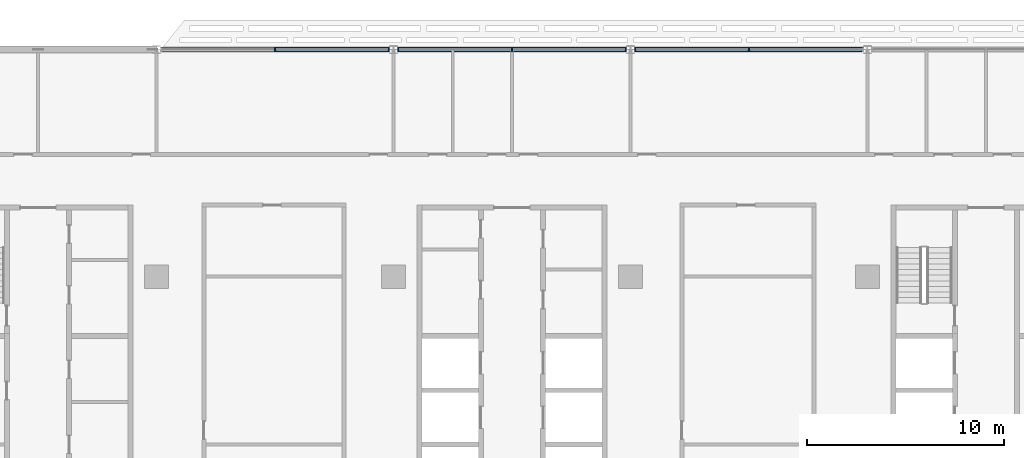
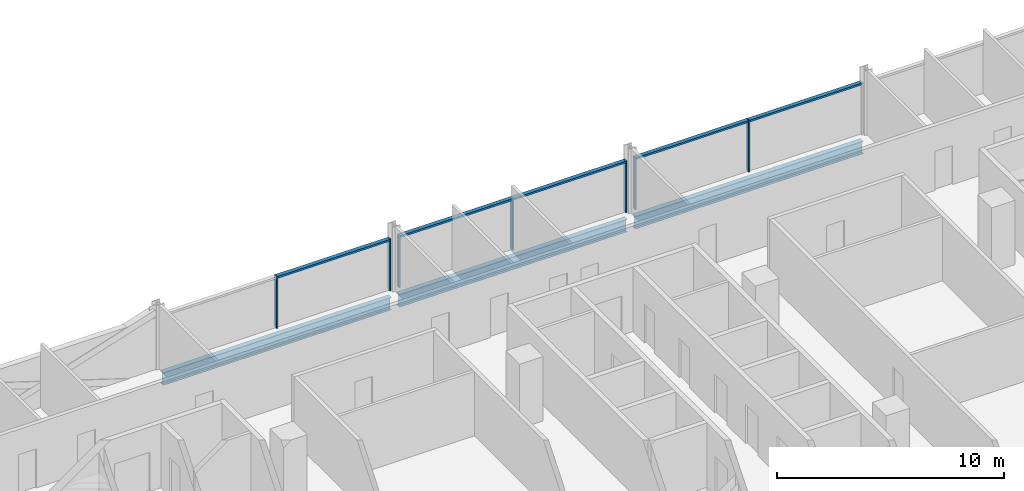
# One storey, part 7 of 27: 12 members, 3 beams, 3 elements without a shape of their own.
"""IFC4 building model written with IfcOpenShell, lengths in metres."""

from ifc_helpers import new_model, si_unit, direction, frame, origin, origin_2d, place, context, subcontext, project, spatial, rectangle, i_section, extrude, material, material_profile, profile_set, type_object, element, aggregate, save


model = new_model("IFC4")

# Units and contexts
model_context = context("Model", 3, precision=1e-05, world=origin(), true_north=direction((0.0, 1.0)))
body_context = subcontext(model_context, "Body", "Model", "MODEL_VIEW")
ifc_project = project(units=[si_unit("LENGTHUNIT", "METRE"), si_unit("AREAUNIT", "SQUARE_METRE"), si_unit("VOLUMEUNIT", "CUBIC_METRE"), si_unit("PLANEANGLEUNIT", "RADIAN"), si_unit("MASSUNIT", "GRAM", prefix="KILO")], contexts=[model_context])

# Site, building, storey
site_placement = place(None, origin())
site = spatial("IfcSite", under=ifc_project, at=site_placement, CompositionType="ELEMENT")
building_placement = place(site_placement, origin())
building = spatial("IfcBuilding", under=site, at=building_placement, Name="Mahtab Terrace Research Tower", CompositionType="ELEMENT")
storey_placement = place(building_placement, frame((0.0, 0.0, 166.800048828125)))
storey = spatial("IfcBuildingStorey", under=building, at=storey_placement, Name="L39", CompositionType="ELEMENT", Elevation=166.800048828125)

# Curtain wall, members
ifc_material_1 = material(Name="Laboratory ribbon curtain wall")
curtain_wall_type = type_object("IfcCurtainWallType", Name="Laboratory ribbon curtain wall", PredefinedType="NOTDEFINED", material=ifc_material_1)
curtain_wall_1_placement = place(storey_placement, origin())
curtain_wall_1 = element("IfcCurtainWall", 1, at=curtain_wall_1_placement, inside=storey, type_object=curtain_wall_type, Name="EN.L39.3.5", PredefinedType="NOTDEFINED")
ifc_material_2 = material(Name="Natural anodised aluminium", Category="aluminium")
ifc_material_profile_1 = material_profile(ifc_material_2, rectangle(XDim=0.199951171875, YDim=0.06494140625, at=origin_2d()), Name="MULLION 65x200")
ifc_profile_set_1 = profile_set([ifc_material_profile_1], Name="Natural anodised aluminium")
member_type_1 = type_object("IfcMemberType", Name="Laboratory ribbon curtain wall mullion", PredefinedType="MULLION", material=ifc_profile_set_1)
member_1_placement = place(storey_placement, frame((12.0, 23.0, 0.0), z_axis=(0.0, 0.0, 1.0), x_axis=(0.0, -1.0, 0.0)))
member_1 = element("IfcMember", 2, at=member_1_placement, type_object=member_type_1, Name="CWL-5 mullion 2", PredefinedType="MULLION", context=body_context, shape_type="SweptSolid", body=[
    extrude(rectangle(XDim=0.199951171875, YDim=0.06494140625, at=origin_2d()), origin(), (0.0, 0.0, 1.0), 2.78173828125),
])
member_2_placement = place(storey_placement, frame((6.240478515625, 23.0, 0.0), z_axis=(0.0, 0.0, 1.0), x_axis=(0.0, -1.0, 0.0)))
member_2 = element("IfcMember", 3, at=member_2_placement, type_object=member_type_1, Name="CWL-5 mullion 3", PredefinedType="MULLION", context=body_context, shape_type="SweptSolid", body=[
    extrude(rectangle(XDim=0.199951171875, YDim=0.06494140625, at=origin_2d()), origin(), (0.0, 0.0, 1.0), 2.78173828125),
])

curtain_wall_2_placement = place(storey_placement, origin())
curtain_wall_2 = element("IfcCurtainWall", 4, at=curtain_wall_2_placement, inside=storey, type_object=curtain_wall_type, Name="EN.L39.3.6", PredefinedType="NOTDEFINED")
member_3_placement = place(storey_placement, frame((5.759521484375, 23.0, 0.0), z_axis=(0.0, 0.0, 1.0), x_axis=(0.0, -1.0, 0.0)))
member_3 = element("IfcMember", 5, at=member_3_placement, type_object=member_type_1, Name="CWL-5 mullion 1", PredefinedType="MULLION", context=body_context, shape_type="SweptSolid", body=[
    extrude(rectangle(XDim=0.199951171875, YDim=0.06494140625, at=origin_2d()), origin(), (0.0, 0.0, 1.0), 2.78173828125),
])
member_4_placement = place(storey_placement, frame((0.0, 23.0, 0.0), z_axis=(0.0, 0.0, 1.0), x_axis=(0.0, -1.0, 0.0)))
member_4 = element("IfcMember", 6, at=member_4_placement, type_object=member_type_1, Name="CWL-5 mullion 2", PredefinedType="MULLION", context=body_context, shape_type="SweptSolid", body=[
    extrude(rectangle(XDim=0.199951171875, YDim=0.06494140625, at=origin_2d()), origin(), (0.0, 0.0, 1.0), 2.78173828125),
])
member_5_placement = place(storey_placement, frame((-5.759521484375, 23.0, 0.0), z_axis=(0.0, 0.0, 1.0), x_axis=(0.0, -1.0, 0.0)))
member_5 = element("IfcMember", 7, at=member_5_placement, type_object=member_type_1, Name="CWL-5 mullion 3", PredefinedType="MULLION", context=body_context, shape_type="SweptSolid", body=[
    extrude(rectangle(XDim=0.199951171875, YDim=0.06494140625, at=origin_2d()), origin(), (0.0, 0.0, 1.0), 2.78173828125),
])

curtain_wall_3_placement = place(storey_placement, origin())
curtain_wall_3 = element("IfcCurtainWall", 8, at=curtain_wall_3_placement, inside=storey, type_object=curtain_wall_type, Name="EN.L39.3.7", PredefinedType="NOTDEFINED")
member_6_placement = place(storey_placement, frame((-6.240478515625, 23.0, 0.0), z_axis=(0.0, 0.0, 1.0), x_axis=(0.0, -1.0, 0.0)))
member_6 = element("IfcMember", 9, at=member_6_placement, type_object=member_type_1, Name="CWL-5 mullion 1", PredefinedType="MULLION", context=body_context, shape_type="SweptSolid", body=[
    extrude(rectangle(XDim=0.199951171875, YDim=0.06494140625, at=origin_2d()), origin(), (0.0, 0.0, 1.0), 2.78173828125),
])
member_7_placement = place(storey_placement, frame((-12.0, 23.0, 0.0), z_axis=(0.0, 0.0, 1.0), x_axis=(0.0, -1.0, 0.0)))
member_7 = element("IfcMember", 10, at=member_7_placement, type_object=member_type_1, Name="CWL-5 mullion 2", PredefinedType="MULLION", context=body_context, shape_type="SweptSolid", body=[
    extrude(rectangle(XDim=0.199951171875, YDim=0.06494140625, at=origin_2d()), origin(), (0.0, 0.0, 1.0), 2.78173828125),
])

# Member
ifc_material_profile_2 = material_profile(ifc_material_2, rectangle(XDim=0.199951171875, YDim=0.10009765625, at=origin_2d()), Name="TRANSOM 100x200")
ifc_profile_set_2 = profile_set([ifc_material_profile_2], Name="Natural anodised aluminium")
member_type_2 = type_object("IfcMemberType", Name="Laboratory ribbon curtain wall transom", PredefinedType="USERDEFINED", material=ifc_profile_set_2)
member_8_placement = place(storey_placement, frame((17.72705078125, 23.0, 2.731689453125), z_axis=(-1.0, 0.0, 0.0), x_axis=(0.0, -1.0, 0.0)))
member_8 = element("IfcMember", 11, at=member_8_placement, type_object=member_type_2, Name="CWL-5 transom 1", ObjectType="TRANSOM", PredefinedType="USERDEFINED", context=body_context, shape_type="SweptSolid", body=[
    extrude(rectangle(XDim=0.199951171875, YDim=0.10009765625, at=origin_2d()), origin(), (0.0, 0.0, 1.0), 5.694580078125),
])

member_9_placement = place(storey_placement, frame((11.967529296875, 23.0, 2.731689453125), z_axis=(-1.0, 0.0, 0.0), x_axis=(0.0, -1.0, 0.0)))
member_9 = element("IfcMember", 12, at=member_9_placement, type_object=member_type_2, Name="CWL-5 transom 2", ObjectType="TRANSOM", PredefinedType="USERDEFINED", context=body_context, shape_type="SweptSolid", body=[
    extrude(rectangle(XDim=0.199951171875, YDim=0.10009765625, at=origin_2d()), origin(), (0.0, 0.0, 1.0), 5.694580078125),
])

aggregate(curtain_wall_1, [member_1, member_2, member_8, member_9])

member_10_placement = place(storey_placement, frame((5.72705078125, 23.0, 2.731689453125), z_axis=(-1.0, 0.0, 0.0), x_axis=(0.0, -1.0, 0.0)))
member_10 = element("IfcMember", 13, at=member_10_placement, type_object=member_type_2, Name="CWL-5 transom 1", ObjectType="TRANSOM", PredefinedType="USERDEFINED", context=body_context, shape_type="SweptSolid", body=[
    extrude(rectangle(XDim=0.199951171875, YDim=0.10009765625, at=origin_2d()), origin(), (0.0, 0.0, 1.0), 5.694580078125),
])

member_11_placement = place(storey_placement, frame((-0.032470703125, 23.0, 2.731689453125), z_axis=(-1.0, 0.0, 0.0), x_axis=(0.0, -1.0, 0.0)))
member_11 = element("IfcMember", 14, at=member_11_placement, type_object=member_type_2, Name="CWL-5 transom 2", ObjectType="TRANSOM", PredefinedType="USERDEFINED", context=body_context, shape_type="SweptSolid", body=[
    extrude(rectangle(XDim=0.199951171875, YDim=0.10009765625, at=origin_2d()), origin(), (0.0, 0.0, 1.0), 5.694580078125),
])

aggregate(curtain_wall_2, [member_3, member_4, member_5, member_10, member_11])

member_12_placement = place(storey_placement, frame((-6.27294921875, 23.0, 2.731689453125), z_axis=(-1.0, 0.0, 0.0), x_axis=(0.0, -1.0, 0.0)))
member_12 = element("IfcMember", 15, at=member_12_placement, type_object=member_type_2, Name="CWL-5 transom 1", ObjectType="TRANSOM", PredefinedType="USERDEFINED", context=body_context, shape_type="SweptSolid", body=[
    extrude(rectangle(XDim=0.199951171875, YDim=0.10009765625, at=origin_2d()), origin(), (0.0, 0.0, 1.0), 5.694580078125),
])

aggregate(curtain_wall_3, [member_6, member_7, member_12])

# Beams
ifc_material_3 = material(Name="Steel ASTM A992 Gr 50", Category="steel")
ifc_material_profile_3 = material_profile(ifc_material_3, i_section(OverallWidth=0.25390625, OverallDepth=0.67822265625, WebThickness=0.01171875, FlangeThickness=0.016357421875, at=origin_2d()), Name="W27X84")
ifc_profile_set_3 = profile_set([ifc_material_profile_3], Name="Steel ASTM A992 Gr 50")
beam_type = type_object("IfcBeamType", Name="W27x84 beam BS2784", PredefinedType="BEAM", material=ifc_profile_set_3)
for number, where, z_axis, x_axis, name in (
    (16, (17.796875, 23.0, -0.67919921875), (-1.0, 0.0, 0.0), (0.0, -1.0, 0.0), "Spandrel beam L39 03"),
    (17, (5.796875, 23.0, -0.67919921875), (-1.0, 0.0, 0.0), (0.0, -1.0, 0.0), "Spandrel beam L39 04"),
    (18, (-6.203125, 23.0, -0.67919921875), (-1.0, 0.0, 0.0), (0.0, -1.0, 0.0), "Spandrel beam L39 05"),
):
    element("IfcBeam", number, at=place(storey_placement, frame(where, z_axis=z_axis, x_axis=x_axis)), inside=storey, type_object=beam_type, Name=name, PredefinedType="BEAM", context=body_context, shape_type="SweptSolid", body=[
        extrude(i_section(OverallWidth=0.25390625, OverallDepth=0.67822265625, WebThickness=0.01171875, FlangeThickness=0.016357421875, at=origin_2d()), origin(), (0.0, 0.0, 1.0), 11.59375),
    ])

save(model, "model.ifc")
